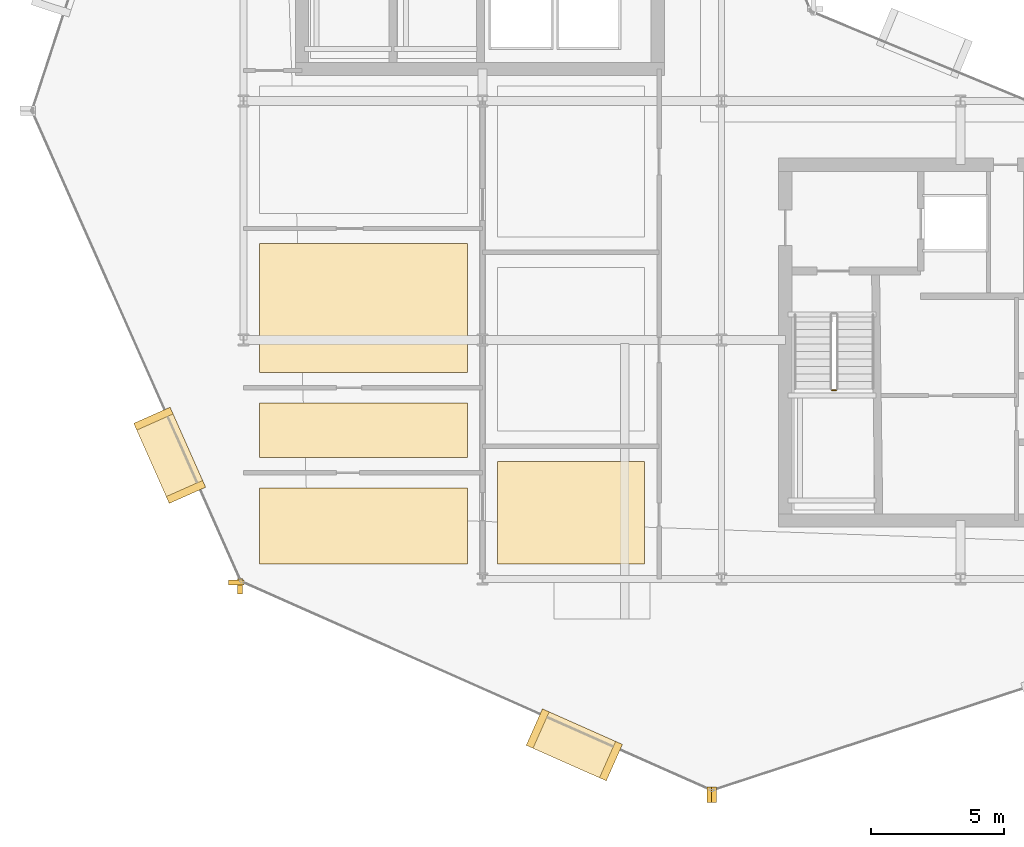
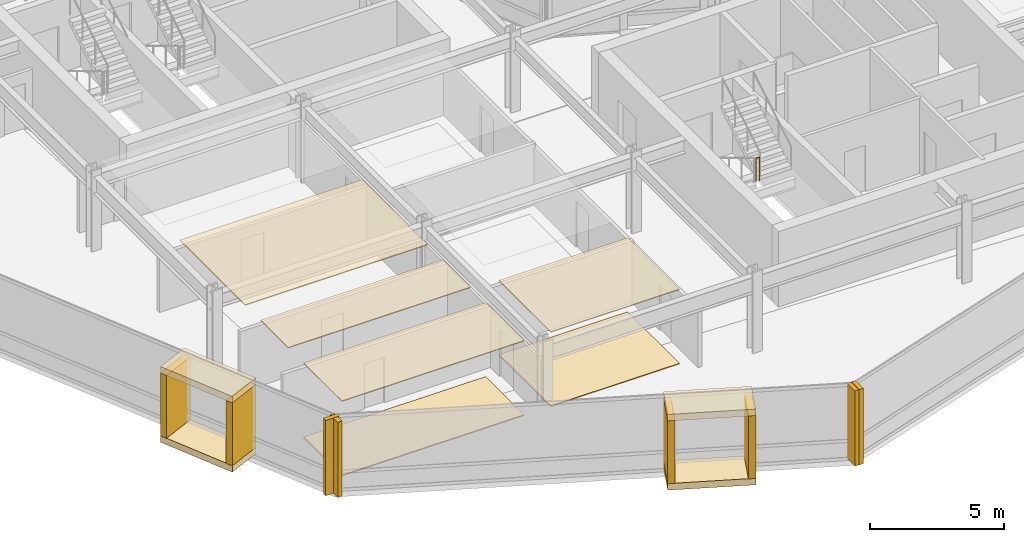
# One storey, part 24 of 28: 18 coverings, 1 railing.
"""IFC4 building model written with IfcOpenShell, lengths in metres."""

from ifc_helpers import new_model, si_unit, direction, frame, origin, origin_2d, place, context, subcontext, project, spatial, polyline, rectangle, circle, outline, extrude, material, layer, layer_set, type_object, element, save


model = new_model("IFC4")

# Units and contexts
model_context = context("Model", 3, precision=1e-05, world=origin(), true_north=direction((0.0, 1.0)))
body_context = subcontext(model_context, "Body", "Model", "MODEL_VIEW")
ifc_project = project(units=[si_unit("LENGTHUNIT", "METRE"), si_unit("AREAUNIT", "SQUARE_METRE"), si_unit("VOLUMEUNIT", "CUBIC_METRE"), si_unit("PLANEANGLEUNIT", "RADIAN"), si_unit("MASSUNIT", "GRAM", prefix="KILO")], contexts=[model_context])

# Site, building, storey
site_placement = place(None, origin())
site = spatial("IfcSite", under=ifc_project, at=site_placement, CompositionType="ELEMENT")
building_placement = place(site_placement, origin())
building = spatial("IfcBuilding", under=site, at=building_placement, Name="Solvaryn Broadcast Tower", CompositionType="ELEMENT")
storey_placement = place(building_placement, frame((0.0, 0.0, 135.89990234375)))
storey = spatial("IfcBuildingStorey", under=building, at=storey_placement, Name="L33", CompositionType="ELEMENT", Elevation=135.89990234375)

# Coverings
ifc_material_1 = material(Name="Micro-Perforated Acoustic Gypsum Ceiling", Category="concrete")
ifc_layer_1 = layer(ifc_material_1, 0.0400390625)
ifc_layer_set_1 = layer_set([ifc_layer_1], Name="CV-CEIL-ACOUSTIC")
covering_type_1 = type_object("IfcCoveringType", Name="CV-CEIL-ACOUSTIC", PredefinedType="CEILING", material=ifc_layer_set_1)
covering_1_placement = place(storey_placement, frame((0.0, 0.0, 3.380126953125)))
element("IfcCovering", 1, at=covering_1_placement, inside=storey, type_object=covering_type_1, Name="L33 Room Acoustic Ceiling 1", PredefinedType="CEILING", context=body_context, shape_type="SweptSolid", body=[
    extrude(outline(polyline([(18.570068359375, 9.570068359375), (24.10009765625, 9.570068359375), (24.10009765625, 13.429931640625), (18.570068359375, 13.429931640625), (18.570068359375, 9.570068359375)])), origin(), (0.0, 0.0, 1.0), 0.0400390625),
])
covering_2_placement = place(storey_placement, frame((0.0, 0.0, 3.380126953125)))
element("IfcCovering", 2, at=covering_2_placement, inside=storey, type_object=covering_type_1, Name="L33 Room Acoustic Ceiling 4", PredefinedType="CEILING", context=body_context, shape_type="SweptSolid", body=[
    extrude(outline(polyline([(9.60009765625, 9.570068359375), (17.429931640625, 9.570068359375), (17.429931640625, 12.429931640625), (9.60009765625, 12.429931640625), (9.60009765625, 9.570068359375)])), origin(), (0.0, 0.0, 1.0), 0.0400390625),
])
covering_3_placement = place(storey_placement, frame((0.0, 0.0, 3.380126953125)))
element("IfcCovering", 3, at=covering_3_placement, inside=storey, type_object=covering_type_1, Name="L33 Room Acoustic Ceiling 5", PredefinedType="CEILING", context=body_context, shape_type="SweptSolid", body=[
    extrude(outline(polyline([(9.60009765625, 13.570068359375), (17.429931640625, 13.570068359375), (17.429931640625, 15.6298828125), (9.60009765625, 15.6298828125), (9.60009765625, 13.570068359375)])), origin(), (0.0, 0.0, 1.0), 0.0400390625),
])
covering_4_placement = place(storey_placement, frame((0.0, 0.0, 3.380126953125)))
element("IfcCovering", 4, at=covering_4_placement, inside=storey, type_object=covering_type_1, Name="L33 Room Acoustic Ceiling 6", PredefinedType="CEILING", context=body_context, shape_type="SweptSolid", body=[
    extrude(outline(polyline([(9.60009765625, 16.77001953125), (17.429931640625, 16.77001953125), (17.429931640625, 21.6298828125), (9.60009765625, 21.6298828125), (9.60009765625, 16.77001953125)])), origin(), (0.0, 0.0, 1.0), 0.0400390625),
])
ifc_material_2 = material(Name="Newsroom Raised Data Access Flooring", Category="steel")
ifc_layer_2 = layer(ifc_material_2, 0.050048828125)
ifc_layer_set_2 = layer_set([ifc_layer_2], Name="CV-FLOOR-RAISED")
covering_type_2 = type_object("IfcCoveringType", Name="CV-FLOOR-RAISED", PredefinedType="FLOORING", material=ifc_layer_set_2)
covering_5_placement = place(storey_placement, origin())
element("IfcCovering", 5, at=covering_5_placement, inside=storey, type_object=covering_type_2, Name="L33 Room Acoustic Floor Finish 1", PredefinedType="FLOORING", context=body_context, shape_type="SweptSolid", body=[
    extrude(outline(polyline([(18.570068359375, 9.570068359375), (24.10009765625, 9.570068359375), (24.10009765625, 13.429931640625), (18.570068359375, 13.429931640625), (18.570068359375, 9.570068359375)])), origin(), (0.0, 0.0, 1.0), 0.050048828125),
])
covering_6_placement = place(storey_placement, origin())
element("IfcCovering", 6, at=covering_6_placement, inside=storey, type_object=covering_type_2, Name="L33 Room Acoustic Floor Finish 4", PredefinedType="FLOORING", context=body_context, shape_type="SweptSolid", body=[
    extrude(outline(polyline([(9.60009765625, 9.570068359375), (17.429931640625, 9.570068359375), (17.429931640625, 12.429931640625), (9.60009765625, 12.429931640625), (9.60009765625, 9.570068359375)])), origin(), (0.0, 0.0, 1.0), 0.050048828125),
])
ifc_material_3 = material(Name="Glazed Architectural Terracotta Rainscreen Cladding", Category="masonry")
ifc_layer_3 = layer(ifc_material_3, 0.280029296875)
ifc_layer_set_3 = layer_set([ifc_layer_3], Name="CV-TC-CLAD")
covering_type_3 = type_object("IfcCoveringType", Name="CV-TC-CLAD", PredefinedType="CLADDING", material=ifc_layer_set_3)
for number, where, z_axis, x_axis, name in (
    (7, (6.218994140625, 13.656982421875, 3.1298828125), (0.0, 0.0, 1.0), (0.405939269498, -0.913900054426, 0.0), "L33 Projecting Stone Window Box Hood 2"),
    (8, (6.218994140625, 13.656982421875, -0.009765625), (0.0, 0.0, 1.0), (0.405939269498, -0.913900054426, 0.0), "L33 Projecting Stone Window Box Sill 2"),
):
    element("IfcCovering", number, at=place(storey_placement, frame(where, z_axis=z_axis, x_axis=x_axis)), inside=storey, type_object=covering_type_3, Name=name, PredefinedType="CLADDING", context=body_context, shape_type="SweptSolid", body=[
        extrude(rectangle(XDim=3.300048828125, YDim=1.5, at=origin_2d()), origin(), (0.0, 0.0, 1.0), 0.300048828125),
    ])
for number, where, z_axis, x_axis, name in (
    (9, (5.60595703125, 15.037109375, 0.2802734375), (0.0, 0.0, 1.0), (0.405939269498, -0.913900054426, 0.0), "L33 Projecting Stone Window Box Cheek 2-1"),
    (10, (6.83203125, 12.277099609375, 0.2802734375), (0.0, 0.0, 1.0), (0.405939269498, -0.913900054426, 0.0), "L33 Projecting Stone Window Box Cheek 2-2"),
):
    element("IfcCovering", number, at=place(storey_placement, frame(where, z_axis=z_axis, x_axis=x_axis)), inside=storey, type_object=covering_type_3, Name=name, PredefinedType="CLADDING", context=body_context, shape_type="SweptSolid", body=[
        extrude(rectangle(XDim=0.280029296875, YDim=1.5, at=origin_2d()), origin(), (0.0, 0.0, 1.0), 2.860107421875),
    ])
for number, where, z_axis, x_axis, name in (
    (11, (21.45703125, 2.75390625, 3.1298828125), (0.0, 0.0, 1.0), (0.913900054426, -0.405939269498, 0.0), "L33 Projecting Stone Window Box Hood 3"),
    (12, (21.45703125, 2.75390625, -0.009765625), (0.0, 0.0, 1.0), (0.913900054426, -0.405939269498, 0.0), "L33 Projecting Stone Window Box Sill 3"),
):
    element("IfcCovering", number, at=place(storey_placement, frame(where, z_axis=z_axis, x_axis=x_axis)), inside=storey, type_object=covering_type_3, Name=name, PredefinedType="CLADDING", context=body_context, shape_type="SweptSolid", body=[
        extrude(rectangle(XDim=3.300048828125, YDim=1.5, at=origin_2d()), origin(), (0.0, 0.0, 1.0), 0.300048828125),
    ])
for number, where, z_axis, x_axis, name in (
    (13, (20.076904296875, 3.366943359375, 0.2802734375), (0.0, 0.0, 1.0), (0.913900054426, -0.405939269498, 0.0), "L33 Projecting Stone Window Box Cheek 3-1"),
    (14, (22.8369140625, 2.14111328125, 0.2802734375), (0.0, 0.0, 1.0), (0.913900054426, -0.405939269498, 0.0), "L33 Projecting Stone Window Box Cheek 3-2"),
):
    element("IfcCovering", number, at=place(storey_placement, frame(where, z_axis=z_axis, x_axis=x_axis)), inside=storey, type_object=covering_type_3, Name=name, PredefinedType="CLADDING", context=body_context, shape_type="SweptSolid", body=[
        extrude(rectangle(XDim=0.280029296875, YDim=1.5, at=origin_2d()), origin(), (0.0, 0.0, 1.0), 2.860107421875),
    ])
ifc_material_4 = material(Name="Extruded Architectural Terracotta Fin", Category="masonry")
ifc_layer_4 = layer(ifc_material_4, 0.179931640625)
ifc_layer_set_4 = layer_set([ifc_layer_4], Name="CV-TC-FIN")
covering_type_4 = type_object("IfcCoveringType", Name="CV-TC-FIN", PredefinedType="USERDEFINED", material=ifc_layer_set_4)
covering_7_placement = place(storey_placement, frame((8.731689453125, 8.86279296875, 0.000244140625), z_axis=(0.0, 0.0, 1.0), x_axis=(1.0, 0.0, 0.0)))
element("IfcCovering", 15, at=covering_7_placement, inside=storey, type_object=covering_type_4, Name="L33 Terracotta Vertical Fin FIN-L33-DR2-M01", ObjectType="FIN", PredefinedType="USERDEFINED", context=body_context, shape_type="SweptSolid", body=[
    extrude(rectangle(XDim=0.580078125, YDim=0.179931640625, at=origin_2d()), origin(), (0.0, 0.0, 1.0), 3.419921875),
])
for number, where, z_axis, x_axis, name in (
    (16, (8.86279296875, 8.731689453125, 0.000244140625), (0.0, 0.0, 1.0), (1.0, 0.0, 0.0), "L33 Terracotta Vertical Fin FIN-L33-DR3-M00"),
    (17, (26.535888671875, 0.8818359375, 0.000244140625), (0.0, 0.0, 1.0), (1.0, 0.0, 0.0), "L33 Terracotta Vertical Fin FIN-L33-DR3-M01"),
    (18, (26.720703125, 0.872314453125, 0.000244140625), (0.0, 0.0, 1.0), (1.0, 0.0, 0.0), "L33 Terracotta Vertical Fin FIN-L33-DR4-M00"),
):
    element("IfcCovering", number, at=place(storey_placement, frame(where, z_axis=z_axis, x_axis=x_axis)), inside=storey, type_object=covering_type_4, Name=name, ObjectType="FIN", PredefinedType="USERDEFINED", context=body_context, shape_type="SweptSolid", body=[
        extrude(rectangle(XDim=0.179931640625, YDim=0.580078125, at=origin_2d()), origin(), (0.0, 0.0, 1.0), 3.419921875),
    ])

# Railing
ifc_material_5 = material(Name="Painted Steel Stair Well Guard", Category="steel")
railing_type = type_object("IfcRailingType", Name="RL-STAIR-GUARD", PredefinedType="BALUSTRADE", material=ifc_material_5)
railing_placement = place(storey_placement, frame((31.159912109375, 16.110107421875, 1.85009765625)))
element("IfcRailing", 19, at=railing_placement, inside=storey, type_object=railing_type, Name="L33 ST3 stair guard 2", PredefinedType="BALUSTRADE", context=body_context, shape_type="SweptSolid", body=[
    extrude(circle(Radius=0.02392578125, at=origin_2d()), frame((0.0, 0.0, 1.076171875), z_axis=(1.0, 0.0, 0.0), x_axis=(0.0, 1.0, 0.0)), (0.0, 0.0, 1.0), 0.150146484375),
    extrude(circle(Radius=0.02099609375, at=origin_2d()), origin(), (0.0, 0.0, 1.0), 1.052001953125),
    extrude(circle(Radius=0.02099609375, at=origin_2d()), frame((0.150146484375, 0.0, 0.0)), (0.0, 0.0, 1.0), 1.052001953125),
])

save(model, "model.ifc")
